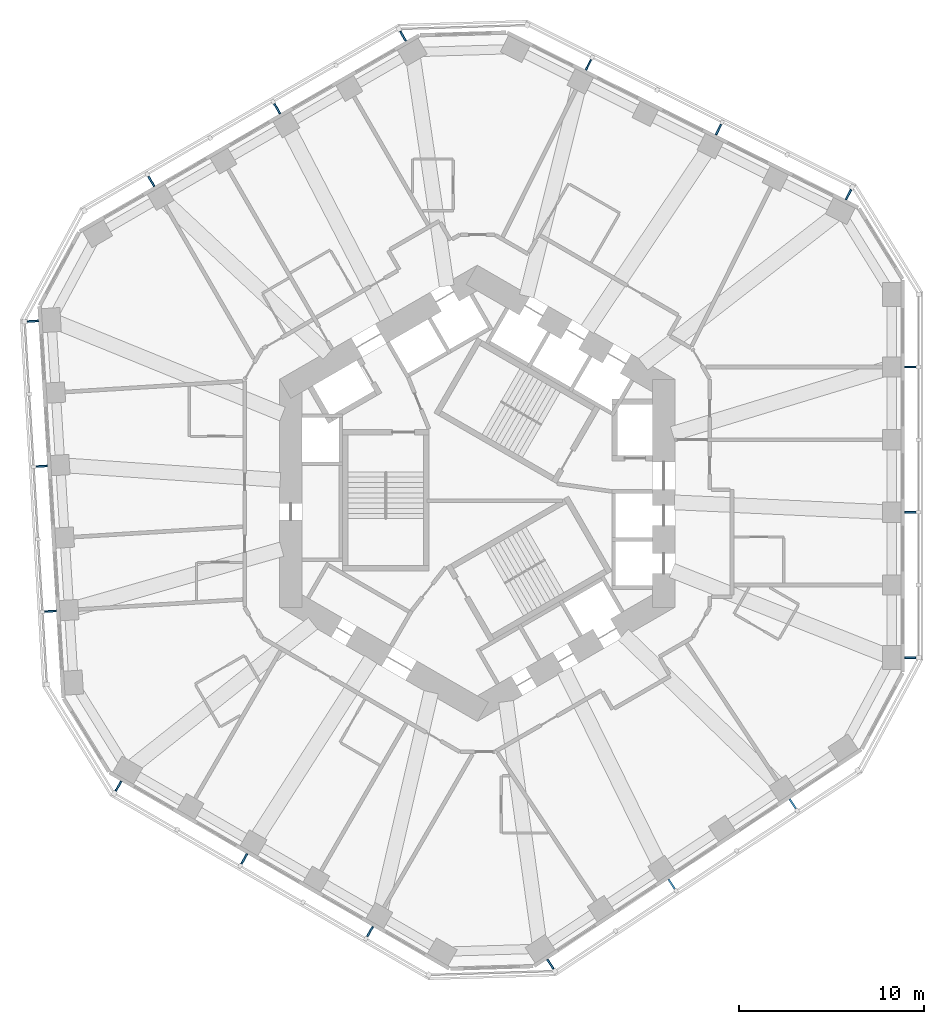
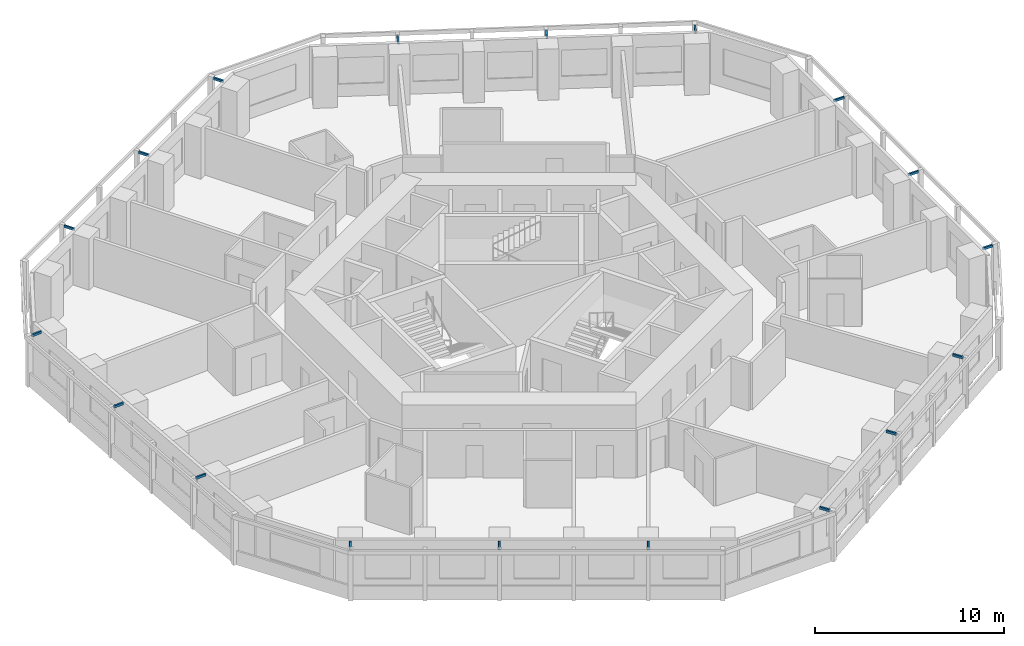
# One storey, part 10 of 11: 18 discrete accessories.
"""IFC4 building model written with IfcOpenShell, lengths in metres."""

import ifcopenshell
import ifcopenshell.guid

model = None  # the IFC model being written
_history = None  # IfcOwnerHistory: only IFC2X3 demands one
_inside = {}  # id of a spatial element -> (the spatial element, [elements in it])
_under = {}  # id of a project, library or spatial element -> (it, [spatial elements below it])
_declared = {}  # id of a project -> (the project, [libraries it declares])
_typed = {}  # id of a type object -> (the type object, [elements of that type])
_made_of = {}  # id of a material, layer set ... -> (it, [elements and type objects made of it])


def new_model(schema):
    """Start an empty IFC model of exactly this schema.

    Asked for "IFC4X3", IfcOpenShell would pick the latest addendum, in which some entities
    have other attributes; the version numbers below select the first issue.
    IFC2X3 requires an IfcOwnerHistory on every rooted entity: one is made here for all.
    """
    global model, _history
    if schema == "IFC4X3":
        model = ifcopenshell.file(schema_version=(4, 3, 0, 0))
    else:
        model = ifcopenshell.file(schema=schema)
    _inside.clear()
    _under.clear()
    _declared.clear()
    _typed.clear()
    _made_of.clear()
    _history = None
    if model.schema == "IFC2X3":
        org = make("IfcOrganization", Name="unknown")
        user = make(
            "IfcPersonAndOrganization",
            ThePerson=make("IfcPerson", FamilyName="unknown"),
            TheOrganization=org,
        )
        app = make(
            "IfcApplication",
            ApplicationDeveloper=org,
            Version="unknown",
            ApplicationFullName="unknown",
            ApplicationIdentifier="unknown",
        )
        _history = make(
            "IfcOwnerHistory",
            OwningUser=user,
            OwningApplication=app,
            ChangeAction="ADDED",
            CreationDate=0,
        )
    return model


def make(cls, **values):
    """One entity of the class cls with the attributes given. An attribute that is None is left unset."""
    return model.create_entity(
        cls, **{name: value for name, value in values.items() if value is not None}
    )


def rooted(cls, **values):
    """An entity with a GlobalId (a new one), such as an element, a storey or a relation."""
    return make(cls, GlobalId=ifcopenshell.guid.new(), OwnerHistory=_history, **values)


def si_unit(unit_type, name, prefix=None):
    """IfcSIUnit, for example si_unit("LENGTHUNIT", "METRE", prefix="MILLI")."""
    return make("IfcSIUnit", UnitType=unit_type, Prefix=prefix, Name=name)


def assignment(units):
    """IfcUnitAssignment: the units of a project."""
    return None if units is None else make("IfcUnitAssignment", Units=units)


def point(xyz):
    """IfcCartesianPoint."""
    return None if xyz is None else make("IfcCartesianPoint", Coordinates=xyz)


def direction(xyz):
    """IfcDirection."""
    return None if xyz is None else make("IfcDirection", DirectionRatios=xyz)


def frame(location, z_axis=None, x_axis=None):
    """IfcAxis2Placement3D, a coordinate frame: its origin and axes. An axis left out is left unset."""
    return make(
        "IfcAxis2Placement3D",
        Location=point(location),
        Axis=direction(z_axis),
        RefDirection=direction(x_axis),
    )


def frame_2d(location, x_axis=None):
    """IfcAxis2Placement2D, a coordinate frame in the plane: its origin and x axis."""
    return make(
        "IfcAxis2Placement2D", Location=point(location), RefDirection=direction(x_axis)
    )


def origin():
    """The frame at (0, 0, 0) with its axes left unset."""
    return frame((0.0, 0.0, 0.0))


def origin_2d():
    """The frame at (0, 0) in the plane with its x axis left unset."""
    return frame_2d((0.0, 0.0))


def place(relative_to, where):
    """IfcLocalPlacement: puts the frame where relative to a parent placement (None: the world)."""
    return make(
        "IfcLocalPlacement", PlacementRelTo=relative_to, RelativePlacement=where
    )


def context(
    kind, dimensions, precision=None, world=None, true_north=None, identifier=None
):
    """IfcGeometricRepresentationContext, for example the 3D "Model" context."""
    return make(
        "IfcGeometricRepresentationContext",
        ContextIdentifier=identifier,
        ContextType=kind,
        CoordinateSpaceDimension=dimensions,
        Precision=precision,
        WorldCoordinateSystem=world,
        TrueNorth=true_north,
    )


def subcontext(parent, identifier, kind, view, scale=None):
    """IfcGeometricRepresentationSubContext, for example "Body" below "Model"."""
    return make(
        "IfcGeometricRepresentationSubContext",
        ContextIdentifier=identifier,
        ContextType=kind,
        ParentContext=parent,
        TargetScale=scale,
        TargetView=view,
    )


def project(units=None, contexts=None):
    """IfcProject with its units and contexts."""
    return rooted(
        "IfcProject",
        Name="project",
        RepresentationContexts=contexts,
        UnitsInContext=assignment(units),
    )


def spatial(cls, under=None, at=None, **own):
    """A site, building, storey or space (cls), placed at a placement, below another one or the project."""
    s = rooted(cls, ObjectPlacement=at, **own)
    if under is not None:
        _under.setdefault(under.id(), (under, []))[1].append(s)
    return s


def profile(cls, at=None, kind="AREA", **sizes):
    """A parametric profile (cls). Its sizes go by their IFC names, for example OverallWidth=200.0."""
    return make(cls, ProfileType=kind, Position=at, **sizes)


def rectangle(**sizes):
    """IfcRectangleProfileDef."""
    return profile("IfcRectangleProfileDef", **sizes)


def extrude(swept, where, along, depth):
    """IfcExtrudedAreaSolid: the profile swept, set in the frame where, extruded along a direction by depth."""
    return make(
        "IfcExtrudedAreaSolid",
        SweptArea=swept,
        Position=where,
        ExtrudedDirection=direction(along),
        Depth=depth,
    )


def shape(context_of_items, identifier, shape_type, items):
    """IfcShapeRepresentation: the items that make up one representation, for example the "Body"."""
    return make(
        "IfcShapeRepresentation",
        ContextOfItems=context_of_items,
        RepresentationIdentifier=identifier,
        RepresentationType=shape_type,
        Items=items,
    )


def material(Name=None, Category=None):
    """IfcMaterial."""
    return make("IfcMaterial", Name=Name, Category=Category)


def made_of(thing, what):
    """Note that an element or type object is made of a material, layer set ...; save() writes the relation."""
    if what is not None:
        _made_of.setdefault(what.id(), (what, []))[1].append(thing)
    return thing


def type_object(cls, material=None, **own):
    """A type object (cls), such as IfcWallType, which elements share."""
    return made_of(rooted(cls, **own), material)


def element(
    cls,
    number,
    at=None,
    inside=None,
    cuts=None,
    type_object=None,
    material=None,
    context=None,
    identifier="Body",
    shape_type=None,
    held_by="IfcProductDefinitionShape",
    body=None,
    shapes=None,
    **own,
):
    """One element of the class cls, such as IfcWall. Its Tag is "e" and its number.

    at: its placement. inside: the storey or other place that contains it. cuts: it is an
    opening in that element (IfcRelVoidsElement). A single representation is given by context,
    identifier, shape_type and body (its items); several are given by shapes. held_by: the class
    of the entity that holds the representations. save() writes the other relations.
    """
    e = rooted(cls, Tag="e%d" % number, ObjectPlacement=at, **own)
    if body is not None:
        shapes = [shape(context, identifier, shape_type, body)]
    if shapes is not None:
        e.Representation = make(held_by, Representations=shapes)
    if inside is not None:
        _inside.setdefault(inside.id(), (inside, []))[1].append(e)
    if cuts is not None:
        rooted(
            "IfcRelVoidsElement", RelatingBuildingElement=cuts, RelatedOpeningElement=e
        )
    if type_object is not None:
        _typed.setdefault(type_object.id(), (type_object, []))[1].append(e)
    return made_of(e, material)


def aggregate(whole, parts):
    """IfcRelAggregates: a whole, such as a stair, and the parts it consists of."""
    return rooted("IfcRelAggregates", RelatingObject=whole, RelatedObjects=parts)


def save(model, path):
    """Write the relations noted so far, then the file.

    IfcRelAggregates (storeys below a building ...), IfcRelContainedInSpatialStructure (elements
    in a storey), IfcRelDefinesByType, IfcRelAssociatesMaterial and IfcRelDeclares: one each for
    every whole, place, type object, material and project.
    """
    for whole, parts in _under.values():
        aggregate(whole, parts)
    for where, things in _inside.values():
        rooted(
            "IfcRelContainedInSpatialStructure",
            RelatedElements=things,
            RelatingStructure=where,
        )
    for kind, things in _typed.values():
        rooted("IfcRelDefinesByType", RelatedObjects=things, RelatingType=kind)
    for what, things in _made_of.values():
        rooted("IfcRelAssociatesMaterial", RelatedObjects=things, RelatingMaterial=what)
    for by, libraries in _declared.values():
        rooted("IfcRelDeclares", RelatingContext=by, RelatedDefinitions=libraries)
    model.write(path)


model = new_model("IFC4")

# Units and contexts
model_context = context("Model", 3, precision=1e-05, world=origin(), true_north=direction((0.0, 1.0)))
body_context = subcontext(model_context, "Body", "Model", "MODEL_VIEW")
ifc_project = project(units=[si_unit("LENGTHUNIT", "METRE"), si_unit("AREAUNIT", "SQUARE_METRE"), si_unit("VOLUMEUNIT", "CUBIC_METRE"), si_unit("PLANEANGLEUNIT", "RADIAN"), si_unit("MASSUNIT", "GRAM", prefix="KILO")], contexts=[model_context])

# Site, building, storey
site_placement = place(None, origin())
site = spatial("IfcSite", under=ifc_project, at=site_placement, CompositionType="ELEMENT")
building_placement = place(site_placement, origin())
building = spatial("IfcBuilding", under=site, at=building_placement, Name="Vanh Sen Convention Tower", CompositionType="ELEMENT")
storey_placement = place(building_placement, frame((0.0, 0.0, 100.10009765625)))
storey = spatial("IfcBuildingStorey", under=building, at=storey_placement, Name="L23", CompositionType="ELEMENT", Elevation=100.10009765625)

# Discrete accessories
ifc_material = material(Name="Steel S355", Category="steel")
discrete_accessory_type = type_object("IfcDiscreteAccessoryType", Name="Fin bracket 100 x 150", PredefinedType="BRACKET", material=ifc_material)
discrete_accessory_1_placement = place(storey_placement, frame((23.449951171875, -8.899169921875, 3.099853515625), z_axis=(0.0, 0.0, 1.0), x_axis=(1.0, 0.0, 0.0)))
element("IfcDiscreteAccessory", 1, at=discrete_accessory_1_placement, inside=storey, type_object=discrete_accessory_type, Name="Fin bracket E-1 L23", PredefinedType="BRACKET", context=body_context, shape_type="SweptSolid", body=[
    extrude(rectangle(XDim=0.60009765625, YDim=0.10009765625, at=origin_2d()), origin(), (0.0, 0.0, 1.0), 0.14990234375),
])
for number, where, z_axis, x_axis, name in (
    (2, (23.46240234375, -1.030029296875, 3.099853515625), (0.0, 0.0, 1.0), (1.0, 0.0, 0.0), "Fin bracket E-3 L23"),
    (3, (23.46240234375, 6.839111328125, 3.099853515625), (0.0, 0.0, 1.0), (1.0, 0.0, 0.0), "Fin bracket E-5 L23"),
):
    element("IfcDiscreteAccessory", number, at=place(storey_placement, frame(where, z_axis=z_axis, x_axis=x_axis)), inside=storey, type_object=discrete_accessory_type, Name=name, PredefinedType="BRACKET", context=body_context, shape_type="SweptSolid", body=[
        extrude(rectangle(XDim=0.625, YDim=0.10009765625, at=origin_2d()), origin(), (0.0, 0.0, 1.0), 0.14990234375),
    ])
discrete_accessory_2_placement = place(storey_placement, frame((20.10498046875, 16.178955078125, 3.099853515625), z_axis=(0.0, 0.0, 1.0), x_axis=(0.44619781311, 0.894934361602, 0.0)))
element("IfcDiscreteAccessory", 4, at=discrete_accessory_2_placement, inside=storey, type_object=discrete_accessory_type, Name="Fin bracket NE-1 L23", PredefinedType="BRACKET", context=body_context, shape_type="SweptSolid", body=[
    extrude(rectangle(XDim=0.60009765625, YDim=0.10009765625, at=origin_2d()), origin(), (0.0, 0.0, 1.0), 0.14990234375),
])
for number, where, z_axis, x_axis, name in (
    (5, (13.068359375, 19.701416015625, 3.099853515625), (0.0, 0.0, 1.0), (0.44619781311, 0.894934361602, 0.0), "Fin bracket NE-3 L23"),
    (6, (6.02587890625, 23.212646484375, 3.099853515625), (0.0, 0.0, 1.0), (0.44619781311, 0.894934361602, 0.0), "Fin bracket NE-5 L23"),
):
    element("IfcDiscreteAccessory", number, at=place(storey_placement, frame(where, z_axis=z_axis, x_axis=x_axis)), inside=storey, type_object=discrete_accessory_type, Name=name, PredefinedType="BRACKET", context=body_context, shape_type="SweptSolid", body=[
        extrude(rectangle(XDim=0.625, YDim=0.10009765625, at=origin_2d()), origin(), (0.0, 0.0, 1.0), 0.14990234375),
    ])
discrete_accessory_3_placement = place(storey_placement, frame((-4.01806640625, 24.7578125, 3.099853515625), z_axis=(0.0, 0.0, 1.0), x_axis=(-0.5, 0.866025403784, 0.0)))
element("IfcDiscreteAccessory", 7, at=discrete_accessory_3_placement, inside=storey, type_object=discrete_accessory_type, Name="Fin bracket NW-1 L23", PredefinedType="BRACKET", context=body_context, shape_type="SweptSolid", body=[
    extrude(rectangle(XDim=0.60009765625, YDim=0.10009765625, at=origin_2d()), origin(), (0.0, 0.0, 1.0), 0.14990234375),
])
for number, where, z_axis, x_axis, name in (
    (8, (-10.839111328125, 20.834228515625, 3.099853515625), (0.0, 0.0, 1.0), (-0.5, 0.866025403784, 0.0), "Fin bracket NW-3 L23"),
    (9, (-17.654296875, 16.899658203125, 3.099853515625), (0.0, 0.0, 1.0), (-0.5, 0.866025403784, 0.0), "Fin bracket NW-5 L23"),
):
    element("IfcDiscreteAccessory", number, at=place(storey_placement, frame(where, z_axis=z_axis, x_axis=x_axis)), inside=storey, type_object=discrete_accessory_type, Name=name, PredefinedType="BRACKET", context=body_context, shape_type="SweptSolid", body=[
        extrude(rectangle(XDim=0.625, YDim=0.10009765625, at=origin_2d()), origin(), (0.0, 0.0, 1.0), 0.14990234375),
    ])
discrete_accessory_4_placement = place(storey_placement, frame((-24.06396484375, 9.322021484375, 3.099853515625), z_axis=(0.0, 0.0, 1.0), x_axis=(-0.998134798422, -0.061048539535, 0.0)))
element("IfcDiscreteAccessory", 10, at=discrete_accessory_4_placement, inside=storey, type_object=discrete_accessory_type, Name="Fin bracket W-1 L23", PredefinedType="BRACKET", context=body_context, shape_type="SweptSolid", body=[
    extrude(rectangle(XDim=0.60009765625, YDim=0.10009765625, at=origin_2d()), origin(), (0.0, 0.0, 1.0), 0.14990234375),
])
for number, where, z_axis, x_axis, name in (
    (11, (-23.595947265625, 1.466796875, 3.099853515625), (0.0, 0.0, 1.0), (-0.998134798422, -0.061048539535, 0.0), "Fin bracket W-3 L23"),
    (12, (-23.115478515625, -6.3876953125, 3.099853515625), (0.0, 0.0, 1.0), (-0.998134798422, -0.061048539535, 0.0), "Fin bracket W-5 L23"),
):
    element("IfcDiscreteAccessory", number, at=place(storey_placement, frame(where, z_axis=z_axis, x_axis=x_axis)), inside=storey, type_object=discrete_accessory_type, Name=name, PredefinedType="BRACKET", context=body_context, shape_type="SweptSolid", body=[
        extrude(rectangle(XDim=0.625, YDim=0.10009765625, at=origin_2d()), origin(), (0.0, 0.0, 1.0), 0.14990234375),
    ])
discrete_accessory_5_placement = place(storey_placement, frame((-19.431884765625, -15.858642578125, 3.099853515625), z_axis=(0.0, 0.0, 1.0), x_axis=(-0.5, -0.866025403784, 0.0)))
element("IfcDiscreteAccessory", 13, at=discrete_accessory_5_placement, inside=storey, type_object=discrete_accessory_type, Name="Fin bracket SW-1 L23", PredefinedType="BRACKET", context=body_context, shape_type="SweptSolid", body=[
    extrude(rectangle(XDim=0.60009765625, YDim=0.10009765625, at=origin_2d()), origin(), (0.0, 0.0, 1.0), 0.14990234375),
])
for number, where, z_axis, x_axis, name in (
    (14, (-12.623291015625, -19.80419921875, 3.099853515625), (0.0, 0.0, 1.0), (-0.5, -0.866025403784, 0.0), "Fin bracket SW-3 L23"),
    (15, (-5.808349609375, -23.73876953125, 3.099853515625), (0.0, 0.0, 1.0), (-0.5, -0.866025403784, 0.0), "Fin bracket SW-5 L23"),
):
    element("IfcDiscreteAccessory", number, at=place(storey_placement, frame(where, z_axis=z_axis, x_axis=x_axis)), inside=storey, type_object=discrete_accessory_type, Name=name, PredefinedType="BRACKET", context=body_context, shape_type="SweptSolid", body=[
        extrude(rectangle(XDim=0.625, YDim=0.10009765625, at=origin_2d()), origin(), (0.0, 0.0, 1.0), 0.14990234375),
    ])
discrete_accessory_6_placement = place(storey_placement, frame((3.958740234375, -25.5009765625, 3.099853515625), z_axis=(0.0, 0.0, 1.0), x_axis=(0.551936985312, -0.833885822067, 0.0)))
element("IfcDiscreteAccessory", 16, at=discrete_accessory_6_placement, inside=storey, type_object=discrete_accessory_type, Name="Fin bracket SE-1 L23", PredefinedType="BRACKET", context=body_context, shape_type="SweptSolid", body=[
    extrude(rectangle(XDim=0.60009765625, YDim=0.10009765625, at=origin_2d()), origin(), (0.0, 0.0, 1.0), 0.14990234375),
])
for number, where, z_axis, x_axis, name in (
    (17, (10.527587890625, -21.168212890625, 3.099853515625), (0.0, 0.0, 1.0), (0.551936985312, -0.833885822067, 0.0), "Fin bracket SE-3 L23"),
    (18, (17.089599609375, -16.824951171875, 3.099853515625), (0.0, 0.0, 1.0), (0.551936985312, -0.833885822067, 0.0), "Fin bracket SE-5 L23"),
):
    element("IfcDiscreteAccessory", number, at=place(storey_placement, frame(where, z_axis=z_axis, x_axis=x_axis)), inside=storey, type_object=discrete_accessory_type, Name=name, PredefinedType="BRACKET", context=body_context, shape_type="SweptSolid", body=[
        extrude(rectangle(XDim=0.625, YDim=0.10009765625, at=origin_2d()), origin(), (0.0, 0.0, 1.0), 0.14990234375),
    ])

save(model, "model.ifc")
